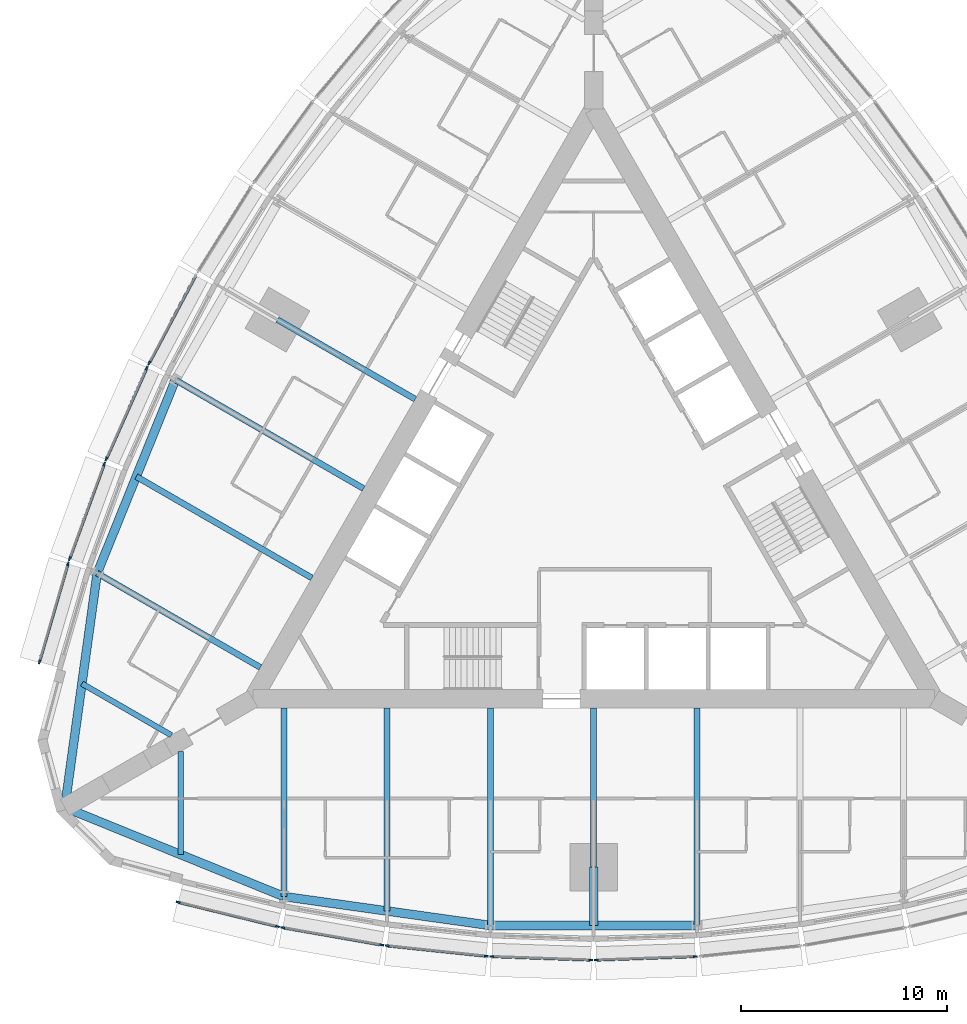
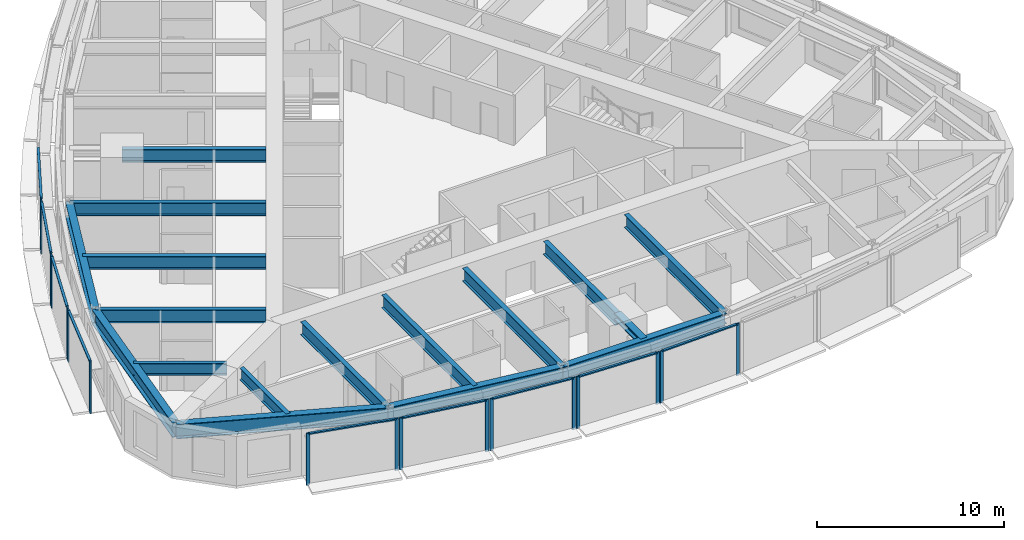
# One storey, part 2 of 14: 26 members, 17 beams, 9 elements without a shape of their own.
"""IFC4 building model written with IfcOpenShell, lengths in metres."""

from ifc_helpers import new_model, si_unit, direction, frame, origin, origin_2d, place, context, subcontext, project, spatial, rectangle, i_section, extrude, material, material_profile, profile_set, type_object, element, aggregate, save


model = new_model("IFC4")

# Units and contexts
model_context = context("Model", 3, precision=1e-05, world=origin(), true_north=direction((0.0, 1.0)))
body_context = subcontext(model_context, "Body", "Model", "MODEL_VIEW")
ifc_project = project(units=[si_unit("LENGTHUNIT", "METRE"), si_unit("AREAUNIT", "SQUARE_METRE"), si_unit("VOLUMEUNIT", "CUBIC_METRE"), si_unit("PLANEANGLEUNIT", "RADIAN"), si_unit("MASSUNIT", "GRAM", prefix="KILO")], contexts=[model_context])

# Site, building, storey
site_placement = place(None, origin())
site = spatial("IfcSite", under=ifc_project, at=site_placement, CompositionType="ELEMENT")
building_placement = place(site_placement, origin())
building = spatial("IfcBuilding", under=site, at=building_placement, Name="Trikona Tower", CompositionType="ELEMENT")
storey_placement = place(building_placement, frame((0.0, 0.0, 148.699951171875)))
storey = spatial("IfcBuildingStorey", under=building, at=storey_placement, Name="L39", CompositionType="ELEMENT", Elevation=148.699951171875)

# Curtain wall, members
ifc_material_1 = material(Name="Aluminium curtain wall system", Category="aluminium")
curtain_wall_type = type_object("IfcCurtainWallType", Name="Curtain wall DS2", PredefinedType="NOTDEFINED", material=ifc_material_1)
curtain_wall_1_placement = place(storey_placement, origin())
curtain_wall_1 = element("IfcCurtainWall", 1, at=curtain_wall_1_placement, inside=storey, type_object=curtain_wall_type, Name="Curtain wall DS2 L39", PredefinedType="NOTDEFINED")
ifc_material_2 = material(Name="Aluminium mullion, pale anodised", Category="aluminium")
ifc_material_profile_1 = material_profile(ifc_material_2, rectangle(XDim=0.080078125, YDim=0.199951171875, at=origin_2d()), Name="MUL-DS2")
ifc_profile_set_1 = profile_set([ifc_material_profile_1], Name="Aluminium mullion, pale anodised")
member_type_1 = type_object("IfcMemberType", Name="Mullion DS2 80x200", PredefinedType="MULLION", material=ifc_profile_set_1)
member_1_placement = place(storey_placement, frame((-20.116943359375, -19.373046875, 0.0), z_axis=(0.0, 0.0, 1.0), x_axis=(0.237970204243, 0.971272455026, 0.0)))
member_1 = element("IfcMember", 2, at=member_1_placement, type_object=member_type_1, Name="CW-DS2 mullion 1", PredefinedType="MULLION", context=body_context, shape_type="SweptSolid", body=[
    extrude(rectangle(XDim=0.080078125, YDim=0.199951171875, at=origin_2d()), origin(), (0.0, 0.0, 1.0), 3.400146484375),
])
member_2_placement = place(storey_placement, frame((-15.311279296875, -20.550537109375, 0.0), z_axis=(0.0, 0.0, 1.0), x_axis=(0.237970204243, 0.971272455026, 0.0)))
member_2 = element("IfcMember", 3, at=member_2_placement, type_object=member_type_1, Name="CW-DS2 mullion 2", PredefinedType="MULLION", context=body_context, shape_type="SweptSolid", body=[
    extrude(rectangle(XDim=0.080078125, YDim=0.199951171875, at=origin_2d()), origin(), (0.0, 0.0, 1.0), 3.400146484375),
])

curtain_wall_2_placement = place(storey_placement, origin())
curtain_wall_2 = element("IfcCurtainWall", 4, at=curtain_wall_2_placement, inside=storey, type_object=curtain_wall_type, Name="Curtain wall DS2 L39", PredefinedType="NOTDEFINED")
member_3_placement = place(storey_placement, frame((-15.056640625, -20.60400390625, 0.0), z_axis=(0.0, 0.0, 1.0), x_axis=(0.17237739505, 0.985030981074, 0.0)))
member_3 = element("IfcMember", 5, at=member_3_placement, type_object=member_type_1, Name="CW-DS2 mullion 1", PredefinedType="MULLION", context=body_context, shape_type="SweptSolid", body=[
    extrude(rectangle(XDim=0.080078125, YDim=0.199951171875, at=origin_2d()), origin(), (0.0, 0.0, 1.0), 3.400146484375),
])
member_4_placement = place(storey_placement, frame((-10.253662109375, -21.444580078125, 0.0), z_axis=(0.0, 0.0, 1.0), x_axis=(0.17237739505, 0.985030981074, 0.0)))
member_4 = element("IfcMember", 6, at=member_4_placement, type_object=member_type_1, Name="CW-DS2 mullion 2", PredefinedType="MULLION", context=body_context, shape_type="SweptSolid", body=[
    extrude(rectangle(XDim=0.080078125, YDim=0.199951171875, at=origin_2d()), origin(), (0.0, 0.0, 1.0), 3.400146484375),
])

curtain_wall_3_placement = place(storey_placement, origin())
curtain_wall_3 = element("IfcCurtainWall", 7, at=curtain_wall_3_placement, inside=storey, type_object=curtain_wall_type, Name="Curtain wall DS2 L39", PredefinedType="NOTDEFINED")
member_5_placement = place(storey_placement, frame((-9.99462890625, -21.480712890625, 0.0), z_axis=(0.0, 0.0, 1.0), x_axis=(0.104433387357, 0.994531883654, 0.0)))
member_5 = element("IfcMember", 8, at=member_5_placement, type_object=member_type_1, Name="CW-DS2 mullion 1", PredefinedType="MULLION", context=body_context, shape_type="SweptSolid", body=[
    extrude(rectangle(XDim=0.080078125, YDim=0.199951171875, at=origin_2d()), origin(), (0.0, 0.0, 1.0), 3.400146484375),
])
member_6_placement = place(storey_placement, frame((-5.193359375, -21.98486328125, 0.0), z_axis=(0.0, 0.0, 1.0), x_axis=(0.104433387357, 0.994531883654, 0.0)))
member_6 = element("IfcMember", 9, at=member_6_placement, type_object=member_type_1, Name="CW-DS2 mullion 2", PredefinedType="MULLION", context=body_context, shape_type="SweptSolid", body=[
    extrude(rectangle(XDim=0.080078125, YDim=0.199951171875, at=origin_2d()), origin(), (0.0, 0.0, 1.0), 3.400146484375),
])

curtain_wall_4_placement = place(storey_placement, origin())
curtain_wall_4 = element("IfcCurtainWall", 10, at=curtain_wall_4_placement, inside=storey, type_object=curtain_wall_type, Name="Curtain wall DS2 L39", PredefinedType="NOTDEFINED")
member_7_placement = place(storey_placement, frame((-4.931640625, -22.003173828125, 0.0), z_axis=(0.0, 0.0, 1.0), x_axis=(0.034998320052, 0.99938737114, 0.0)))
member_7 = element("IfcMember", 11, at=member_7_placement, type_object=member_type_1, Name="CW-DS2 mullion 1", PredefinedType="MULLION", context=body_context, shape_type="SweptSolid", body=[
    extrude(rectangle(XDim=0.080078125, YDim=0.199951171875, at=origin_2d()), origin(), (0.0, 0.0, 1.0), 3.400146484375),
])
member_8_placement = place(storey_placement, frame((-0.13134765625, -22.171142578125, 0.0), z_axis=(0.0, 0.0, 1.0), x_axis=(0.034998320052, 0.99938737114, 0.0)))
member_8 = element("IfcMember", 12, at=member_8_placement, type_object=member_type_1, Name="CW-DS2 mullion 2", PredefinedType="MULLION", context=body_context, shape_type="SweptSolid", body=[
    extrude(rectangle(XDim=0.080078125, YDim=0.199951171875, at=origin_2d()), origin(), (0.0, 0.0, 1.0), 3.400146484375),
])

curtain_wall_5_placement = place(storey_placement, origin())
curtain_wall_5 = element("IfcCurtainWall", 13, at=curtain_wall_5_placement, inside=storey, type_object=curtain_wall_type, Name="Curtain wall DS2 L39", PredefinedType="NOTDEFINED")
member_9_placement = place(storey_placement, frame((0.13134765625, -22.171142578125, 0.0), z_axis=(0.0, 0.0, 1.0), x_axis=(-0.034998320052, 0.99938737114, 0.0)))
member_9 = element("IfcMember", 14, at=member_9_placement, type_object=member_type_1, Name="CW-DS2 mullion 1", PredefinedType="MULLION", context=body_context, shape_type="SweptSolid", body=[
    extrude(rectangle(XDim=0.080078125, YDim=0.199951171875, at=origin_2d()), origin(), (0.0, 0.0, 1.0), 3.400146484375),
])
member_10_placement = place(storey_placement, frame((4.931640625, -22.003173828125, 0.0), z_axis=(0.0, 0.0, 1.0), x_axis=(-0.034998320052, 0.99938737114, 0.0)))
member_10 = element("IfcMember", 15, at=member_10_placement, type_object=member_type_1, Name="CW-DS2 mullion 2", PredefinedType="MULLION", context=body_context, shape_type="SweptSolid", body=[
    extrude(rectangle(XDim=0.080078125, YDim=0.199951171875, at=origin_2d()), origin(), (0.0, 0.0, 1.0), 3.400146484375),
])

# Curtain wall, member
curtain_wall_6_placement = place(storey_placement, origin())
curtain_wall_6 = element("IfcCurtainWall", 16, at=curtain_wall_6_placement, inside=storey, type_object=curtain_wall_type, Name="Curtain wall DS2 L39", PredefinedType="NOTDEFINED")
member_11_placement = place(storey_placement, frame((-21.52099609375, 6.730712890625, 0.0), z_axis=(0.0, 0.0, 1.0), x_axis=(0.882996107343, -0.469380308937, 0.0)))
member_11 = element("IfcMember", 17, at=member_11_placement, type_object=member_type_1, Name="CW-DS2 mullion 2", PredefinedType="MULLION", context=body_context, shape_type="SweptSolid", body=[
    extrude(rectangle(XDim=0.080078125, YDim=0.199951171875, at=origin_2d()), origin(), (0.0, 0.0, 1.0), 3.400146484375),
])

# Curtain wall, members
curtain_wall_7_placement = place(storey_placement, origin())
curtain_wall_7 = element("IfcCurtainWall", 18, at=curtain_wall_7_placement, inside=storey, type_object=curtain_wall_type, Name="Curtain wall DS2 L39", PredefinedType="NOTDEFINED")
member_12_placement = place(storey_placement, frame((-21.63623046875, 6.494873046875, 0.0), z_axis=(0.0, 0.0, 1.0), x_axis=(0.913501208767, -0.406836013132, 0.0)))
member_12 = element("IfcMember", 19, at=member_12_placement, type_object=member_type_1, Name="CW-DS2 mullion 1", PredefinedType="MULLION", context=body_context, shape_type="SweptSolid", body=[
    extrude(rectangle(XDim=0.080078125, YDim=0.199951171875, at=origin_2d()), origin(), (0.0, 0.0, 1.0), 3.400146484375),
])
member_13_placement = place(storey_placement, frame((-23.60009765625, 2.0849609375, 0.0), z_axis=(0.0, 0.0, 1.0), x_axis=(0.913501208767, -0.406836013132, 0.0)))
member_13 = element("IfcMember", 20, at=member_13_placement, type_object=member_type_1, Name="CW-DS2 mullion 2", PredefinedType="MULLION", context=body_context, shape_type="SweptSolid", body=[
    extrude(rectangle(XDim=0.080078125, YDim=0.199951171875, at=origin_2d()), origin(), (0.0, 0.0, 1.0), 3.400146484375),
])

curtain_wall_8_placement = place(storey_placement, origin())
curtain_wall_8 = element("IfcCurtainWall", 21, at=curtain_wall_8_placement, inside=storey, type_object=curtain_wall_type, Name="Curtain wall DS2 L39", PredefinedType="NOTDEFINED")
member_14_placement = place(storey_placement, frame((-23.6982421875, 1.84228515625, 0.0), z_axis=(0.0, 0.0, 1.0), x_axis=(0.939253790978, -0.343223420143, 0.0)))
member_14 = element("IfcMember", 22, at=member_14_placement, type_object=member_type_1, Name="CW-DS2 mullion 1", PredefinedType="MULLION", context=body_context, shape_type="SweptSolid", body=[
    extrude(rectangle(XDim=0.080078125, YDim=0.199951171875, at=origin_2d()), origin(), (0.0, 0.0, 1.0), 3.400146484375),
])
member_15_placement = place(storey_placement, frame((-25.371826171875, -2.737548828125, 0.0), z_axis=(0.0, 0.0, 1.0), x_axis=(0.939253790978, -0.343223420143, 0.0)))
member_15 = element("IfcMember", 23, at=member_15_placement, type_object=member_type_1, Name="CW-DS2 mullion 2", PredefinedType="MULLION", context=body_context, shape_type="SweptSolid", body=[
    extrude(rectangle(XDim=0.080078125, YDim=0.199951171875, at=origin_2d()), origin(), (0.0, 0.0, 1.0), 3.400146484375),
])

curtain_wall_9_placement = place(storey_placement, origin())
curtain_wall_9 = element("IfcCurtainWall", 24, at=curtain_wall_9_placement, inside=storey, type_object=curtain_wall_type, Name="Curtain wall DS2 L39", PredefinedType="NOTDEFINED")
member_16_placement = place(storey_placement, frame((-25.452880859375, -2.984619140625, 0.0), z_axis=(0.0, 0.0, 1.0), x_axis=(0.96013310152, -0.279543247757, 0.0)))
member_16 = element("IfcMember", 25, at=member_16_placement, type_object=member_type_1, Name="CW-DS2 mullion 1", PredefinedType="MULLION", context=body_context, shape_type="SweptSolid", body=[
    extrude(rectangle(XDim=0.080078125, YDim=0.199951171875, at=origin_2d()), origin(), (0.0, 0.0, 1.0), 3.400146484375),
])
member_17_placement = place(storey_placement, frame((-26.836181640625, -7.7353515625, 0.0), z_axis=(0.0, 0.0, 1.0), x_axis=(0.96013310152, -0.279543247757, 0.0)))
member_17 = element("IfcMember", 26, at=member_17_placement, type_object=member_type_1, Name="CW-DS2 mullion 2", PredefinedType="MULLION", context=body_context, shape_type="SweptSolid", body=[
    extrude(rectangle(XDim=0.080078125, YDim=0.199951171875, at=origin_2d()), origin(), (0.0, 0.0, 1.0), 3.400146484375),
])

# Beams
ifc_material_3 = material(Name="Steel ASTM A992 Grade 50", Category="steel")
ifc_material_profile_2 = material_profile(ifc_material_3, i_section(OverallWidth=0.419189453125, OverallDepth=0.45458984375, WebThickness=0.042236328125, FlangeThickness=0.067626953125, at=origin_2d()), Name="W14X370")
ifc_profile_set_2 = profile_set([ifc_material_profile_2], Name="Steel ASTM A992 Grade 50")
beam_type_1 = type_object("IfcBeamType", Name="Steel beam W14x370 (apex bracket)", PredefinedType="BEAM", material=ifc_profile_set_2)
beam_1_placement = place(storey_placement, frame((0.0, -17.680419921875, 3.0078125), z_axis=(0.0, -1.0, 0.0), x_axis=(1.0, 0.0, 0.0)))
element("IfcBeam", 27, at=beam_1_placement, inside=storey, type_object=beam_type_1, Name="Cantilever bracket L40 F1", PredefinedType="BEAM", context=body_context, shape_type="SweptSolid", body=[
    extrude(i_section(OverallWidth=0.419189453125, OverallDepth=0.45458984375, WebThickness=0.042236328125, FlangeThickness=0.067626953125, at=origin_2d()), origin(), (0.0, 0.0, 1.0), 2.81982421875),
])
ifc_material_4 = material(Name="Steel ASTM A992 Grade 50", Category="steel")
ifc_material_profile_3 = material_profile(ifc_material_4, i_section(OverallWidth=0.2666015625, OverallDepth=0.76953125, WebThickness=0.015625, FlangeThickness=0.025390625, at=origin_2d()), Name="W30X132")
ifc_profile_set_3 = profile_set([ifc_material_profile_3], Name="Steel ASTM A992 Grade 50")
beam_type_2 = type_object("IfcBeamType", Name="Steel beam W30x132 (wedge)", PredefinedType="BEAM", material=ifc_profile_set_3)
beam_2_placement = place(storey_placement, frame((-20.0, -12.066650390625, 2.850341796875), z_axis=(0.0, -1.0, 0.0), x_axis=(1.0, 0.0, 0.0)))
element("IfcBeam", 28, at=beam_2_placement, inside=storey, type_object=beam_type_2, Name="Floor beam L40 F1 u-20", PredefinedType="BEAM", context=body_context, shape_type="SweptSolid", body=[
    extrude(i_section(OverallWidth=0.2666015625, OverallDepth=0.76953125, WebThickness=0.015625, FlangeThickness=0.025390625, at=origin_2d()), origin(), (0.0, 0.0, 1.0), 5.00048828125),
])
beam_3_placement = place(storey_placement, frame((-20.449951171875, -11.287109375, 2.850341796875), z_axis=(-0.866038434829, 0.49997742889, 0.0), x_axis=(-0.49997742889, -0.866038434829, 0.0)))
element("IfcBeam", 29, at=beam_3_placement, inside=storey, type_object=beam_type_2, Name="Floor beam L40 F3 u20", PredefinedType="BEAM", context=body_context, shape_type="SweptSolid", body=[
    extrude(i_section(OverallWidth=0.2666015625, OverallDepth=0.76953125, WebThickness=0.015625, FlangeThickness=0.025390625, at=origin_2d()), origin(), (0.0, 0.0, 1.0), 5.000732421875),
])
ifc_material_5 = material(Name="Steel ASTM A992 Grade 50", Category="steel")
ifc_material_profile_4 = material_profile(ifc_material_5, i_section(OverallWidth=0.2919921875, OverallDepth=0.845703125, WebThickness=0.015380859375, FlangeThickness=0.0244140625, at=origin_2d()), Name="W33X141")
ifc_profile_set_4 = profile_set([ifc_material_profile_4], Name="Steel ASTM A992 Grade 50")
beam_type_3 = type_object("IfcBeamType", Name="Steel beam W33x141 (radial typ)", PredefinedType="BEAM", material=ifc_profile_set_4)
beam_4_placement = place(storey_placement, frame((-15.0, -9.976318359375, 2.812255859375), z_axis=(0.0, -1.0, 0.0), x_axis=(1.0, 0.0, 0.0)))
element("IfcBeam", 30, at=beam_4_placement, inside=storey, type_object=beam_type_3, Name="Floor beam L40 F1 u-15", PredefinedType="BEAM", context=body_context, shape_type="SweptSolid", body=[
    extrude(i_section(OverallWidth=0.2919921875, OverallDepth=0.845703125, WebThickness=0.015380859375, FlangeThickness=0.0244140625, at=origin_2d()), origin(), (0.0, 0.0, 1.0), 9.123779296875),
])
beam_5_placement = place(storey_placement, frame((-10.0, -9.976318359375, 2.812255859375), z_axis=(0.0, -1.0, 0.0), x_axis=(1.0, 0.0, 0.0)))
element("IfcBeam", 31, at=beam_5_placement, inside=storey, type_object=beam_type_3, Name="Floor beam L40 F1 u-10", PredefinedType="BEAM", context=body_context, shape_type="SweptSolid", body=[
    extrude(i_section(OverallWidth=0.2919921875, OverallDepth=0.845703125, WebThickness=0.015380859375, FlangeThickness=0.0244140625, at=origin_2d()), origin(), (0.0, 0.0, 1.0), 9.823974609375),
])
beam_6_placement = place(storey_placement, frame((-5.0, -9.976318359375, 2.812255859375), z_axis=(0.0, -1.0, 0.0), x_axis=(1.0, 0.0, 0.0)))
element("IfcBeam", 32, at=beam_6_placement, inside=storey, type_object=beam_type_3, Name="Floor beam L40 F1 u-5", PredefinedType="BEAM", context=body_context, shape_type="SweptSolid", body=[
    extrude(i_section(OverallWidth=0.2919921875, OverallDepth=0.845703125, WebThickness=0.015380859375, FlangeThickness=0.0244140625, at=origin_2d()), origin(), (0.0, 0.0, 1.0), 10.52392578125),
])
beam_7_placement = place(storey_placement, frame((0.0, -9.976318359375, 2.812255859375), z_axis=(0.0, -1.0, 0.0), x_axis=(1.0, 0.0, 0.0)))
element("IfcBeam", 33, at=beam_7_placement, inside=storey, type_object=beam_type_3, Name="Floor beam L40 F1 u0", PredefinedType="BEAM", context=body_context, shape_type="SweptSolid", body=[
    extrude(i_section(OverallWidth=0.2919921875, OverallDepth=0.845703125, WebThickness=0.015380859375, FlangeThickness=0.0244140625, at=origin_2d()), origin(), (0.0, 0.0, 1.0), 7.7041015625),
])
beam_8_placement = place(storey_placement, frame((5.0, -9.976318359375, 2.812255859375), z_axis=(0.0, -1.0, 0.0), x_axis=(1.0, 0.0, 0.0)))
element("IfcBeam", 34, at=beam_8_placement, inside=storey, type_object=beam_type_3, Name="Floor beam L40 F1 u5", PredefinedType="BEAM", context=body_context, shape_type="SweptSolid", body=[
    extrude(i_section(OverallWidth=0.2919921875, OverallDepth=0.845703125, WebThickness=0.015380859375, FlangeThickness=0.0244140625, at=origin_2d()), origin(), (0.0, 0.0, 1.0), 10.52392578125),
])
beam_9_placement = place(storey_placement, frame((-8.6396484375, 4.988037109375, 2.812255859375), z_axis=(-0.866017246294, 0.500014128921, 0.0), x_axis=(-0.500014128921, -0.866017246294, 0.0)))
element("IfcBeam", 35, at=beam_9_placement, inside=storey, type_object=beam_type_3, Name="Floor beam L40 F3 u0", PredefinedType="BEAM", context=body_context, shape_type="SweptSolid", body=[
    extrude(i_section(OverallWidth=0.2919921875, OverallDepth=0.845703125, WebThickness=0.015380859375, FlangeThickness=0.0244140625, at=origin_2d()), origin(), (0.0, 0.0, 1.0), 7.704345703125),
])
beam_10_placement = place(storey_placement, frame((-11.1396484375, 0.657958984375, 2.812255859375), z_axis=(-0.866026035623, 0.499998905622, 0.0), x_axis=(-0.499998905622, -0.866026035623, 0.0)))
element("IfcBeam", 36, at=beam_10_placement, inside=storey, type_object=beam_type_3, Name="Floor beam L40 F3 u5", PredefinedType="BEAM", context=body_context, shape_type="SweptSolid", body=[
    extrude(i_section(OverallWidth=0.2919921875, OverallDepth=0.845703125, WebThickness=0.015380859375, FlangeThickness=0.0244140625, at=origin_2d()), origin(), (0.0, 0.0, 1.0), 10.52392578125),
])
beam_11_placement = place(storey_placement, frame((-13.6396484375, -3.672119140625, 2.812255859375), z_axis=(-0.866020046725, 0.500009278584, 0.0), x_axis=(-0.500009278584, -0.866020046725, 0.0)))
element("IfcBeam", 37, at=beam_11_placement, inside=storey, type_object=beam_type_3, Name="Floor beam L40 F3 u10", PredefinedType="BEAM", context=body_context, shape_type="SweptSolid", body=[
    extrude(i_section(OverallWidth=0.2919921875, OverallDepth=0.845703125, WebThickness=0.015380859375, FlangeThickness=0.0244140625, at=origin_2d()), origin(), (0.0, 0.0, 1.0), 9.823974609375),
])
beam_12_placement = place(storey_placement, frame((-16.1396484375, -8.002197265625, 2.812255859375), z_axis=(-0.866024725532, 0.500001174766, 0.0), x_axis=(-0.500001174766, -0.866024725532, 0.0)))
element("IfcBeam", 38, at=beam_12_placement, inside=storey, type_object=beam_type_3, Name="Floor beam L40 F3 u15", PredefinedType="BEAM", context=body_context, shape_type="SweptSolid", body=[
    extrude(i_section(OverallWidth=0.2919921875, OverallDepth=0.845703125, WebThickness=0.015380859375, FlangeThickness=0.0244140625, at=origin_2d()), origin(), (0.0, 0.0, 1.0), 9.1240234375),
])
ifc_material_6 = material(Name="Steel ASTM A992 Grade 50", Category="steel")
ifc_material_profile_5 = material_profile(ifc_material_6, i_section(OverallWidth=0.424072265625, OverallDepth=0.947509765625, WebThickness=0.02392578125, FlangeThickness=0.042724609375, at=origin_2d()), Name="W36X302")
ifc_profile_set_5 = profile_set([ifc_material_profile_5], Name="Steel ASTM A992 Grade 50")
beam_type_4 = type_object("IfcBeamType", Name="Steel beam W36x302 (spandrel)", PredefinedType="SPANDREL", material=ifc_profile_set_5)
beam_13_placement = place(storey_placement, frame((-25.6103515625, -14.7861328125, 2.76123046875), z_axis=(0.926359695662, -0.376640032728, 0.0), x_axis=(0.376640032728, 0.926359695662, 0.0)))
element("IfcBeam", 39, at=beam_13_placement, inside=storey, type_object=beam_type_4, Name="Spandrel beam L40 F1-1", PredefinedType="SPANDREL", context=body_context, shape_type="SweptSolid", body=[
    extrude(i_section(OverallWidth=0.424072265625, OverallDepth=0.947509765625, WebThickness=0.02392578125, FlangeThickness=0.042724609375, at=origin_2d()), origin(), (0.0, 0.0, 1.0), 11.453857421875),
])
beam_14_placement = place(storey_placement, frame((-15.0, -19.10009765625, 2.76123046875), z_axis=(0.990339754644, -0.13866207258, 0.0), x_axis=(0.13866207258, 0.990339754644, 0.0)))
element("IfcBeam", 40, at=beam_14_placement, inside=storey, type_object=beam_type_4, Name="Spandrel beam L40 F1-2", PredefinedType="SPANDREL", context=body_context, shape_type="SweptSolid", body=[
    extrude(i_section(OverallWidth=0.424072265625, OverallDepth=0.947509765625, WebThickness=0.02392578125, FlangeThickness=0.042724609375, at=origin_2d()), origin(), (0.0, 0.0, 1.0), 10.09765625),
])
beam_15_placement = place(storey_placement, frame((-5.0, -20.500244140625, 2.76123046875), z_axis=(1.0, 0.0, 0.0), x_axis=(0.0, 1.0, 0.0)))
element("IfcBeam", 41, at=beam_15_placement, inside=storey, type_object=beam_type_4, Name="Spandrel beam L40 F1-3", PredefinedType="SPANDREL", context=body_context, shape_type="SweptSolid", body=[
    extrude(i_section(OverallWidth=0.424072265625, OverallDepth=0.947509765625, WebThickness=0.02392578125, FlangeThickness=0.042724609375, at=origin_2d()), origin(), (0.0, 0.0, 1.0), 10.0),
])
beam_16_placement = place(storey_placement, frame((-20.253662109375, 5.919921875, 2.76123046875), z_axis=(-0.375106193787, -0.926981846307, 0.0), x_axis=(0.926981846307, -0.375106193787, 0.0)))
element("IfcBeam", 42, at=beam_16_placement, inside=storey, type_object=beam_type_4, Name="Spandrel beam L40 F3-4", PredefinedType="SPANDREL", context=body_context, shape_type="SweptSolid", body=[
    extrude(i_section(OverallWidth=0.424072265625, OverallDepth=0.947509765625, WebThickness=0.02392578125, FlangeThickness=0.042724609375, at=origin_2d()), origin(), (0.0, 0.0, 1.0), 10.097412109375),
])
beam_17_placement = place(storey_placement, frame((-24.041259765625, -3.440185546875, 2.76123046875), z_axis=(-0.136991535842, -0.990572218017, 0.0), x_axis=(0.990572218017, -0.136991535842, 0.0)))
element("IfcBeam", 43, at=beam_17_placement, inside=storey, type_object=beam_type_4, Name="Spandrel beam L40 F3-5", PredefinedType="SPANDREL", context=body_context, shape_type="SweptSolid", body=[
    extrude(i_section(OverallWidth=0.424072265625, OverallDepth=0.947509765625, WebThickness=0.02392578125, FlangeThickness=0.042724609375, at=origin_2d()), origin(), (0.0, 0.0, 1.0), 11.453857421875),
])

# Member
ifc_material_7 = material(Name="Aluminium transom, pale anodised", Category="aluminium")
ifc_material_profile_6 = material_profile(ifc_material_7, rectangle(XDim=0.139892578125, YDim=0.080078125, at=origin_2d()), Name="TRN-DS2")
ifc_profile_set_6 = profile_set([ifc_material_profile_6], Name="Aluminium transom, pale anodised")
member_type_2 = type_object("IfcMemberType", Name="Transom DS2 80x140", PredefinedType="USERDEFINED", material=ifc_profile_set_6)
member_18_placement = place(storey_placement, frame((-20.078125, -19.382568359375, 3.360107421875), z_axis=(0.971270583303, -0.237977843528, 0.0), x_axis=(0.237977843528, 0.971270583303, 0.0)))
member_18 = element("IfcMember", 44, at=member_18_placement, type_object=member_type_2, Name="CW-DS2 transom 1.1", ObjectType="TRANSOM", PredefinedType="USERDEFINED", context=body_context, shape_type="SweptSolid", body=[
    extrude(rectangle(XDim=0.139892578125, YDim=0.080078125, at=origin_2d()), origin(), (0.0, 0.0, 1.0), 4.867919921875),
])

aggregate(curtain_wall_1, [member_1, member_2, member_18])

member_19_placement = place(storey_placement, frame((-15.01708984375, -20.61083984375, 3.360107421875), z_axis=(0.98503262804, -0.172367983387, 0.0), x_axis=(0.172367983387, 0.98503262804, 0.0)))
member_19 = element("IfcMember", 45, at=member_19_placement, type_object=member_type_2, Name="CW-DS2 transom 1.1", ObjectType="TRANSOM", PredefinedType="USERDEFINED", context=body_context, shape_type="SweptSolid", body=[
    extrude(rectangle(XDim=0.139892578125, YDim=0.080078125, at=origin_2d()), origin(), (0.0, 0.0, 1.0), 4.7958984375),
])

aggregate(curtain_wall_2, [member_3, member_4, member_19])

member_20_placement = place(storey_placement, frame((-9.954833984375, -21.48486328125, 3.360107421875), z_axis=(0.99453106441, -0.104441188822, 0.0), x_axis=(0.104441188822, 0.99453106441, 0.0)))
member_20 = element("IfcMember", 46, at=member_20_placement, type_object=member_type_2, Name="CW-DS2 transom 1.1", ObjectType="TRANSOM", PredefinedType="USERDEFINED", context=body_context, shape_type="SweptSolid", body=[
    extrude(rectangle(XDim=0.139892578125, YDim=0.080078125, at=origin_2d()), origin(), (0.0, 0.0, 1.0), 4.74755859375),
])

aggregate(curtain_wall_3, [member_5, member_6, member_20])

member_21_placement = place(storey_placement, frame((-4.8916015625, -22.00439453125, 3.360107421875), z_axis=(0.999385692759, -0.035046213908, 0.0), x_axis=(0.035046213908, 0.999385692759, 0.0)))
member_21 = element("IfcMember", 47, at=member_21_placement, type_object=member_type_2, Name="CW-DS2 transom 1.1", ObjectType="TRANSOM", PredefinedType="USERDEFINED", context=body_context, shape_type="SweptSolid", body=[
    extrude(rectangle(XDim=0.139892578125, YDim=0.080078125, at=origin_2d()), origin(), (0.0, 0.0, 1.0), 4.72314453125),
])

aggregate(curtain_wall_4, [member_7, member_8, member_21])

member_22_placement = place(storey_placement, frame((0.17138671875, -22.169921875, 3.360107421875), z_axis=(0.999385692759, 0.035046213908, 0.0), x_axis=(-0.035046213908, 0.999385692759, 0.0)))
member_22 = element("IfcMember", 48, at=member_22_placement, type_object=member_type_2, Name="CW-DS2 transom 1.1", ObjectType="TRANSOM", PredefinedType="USERDEFINED", context=body_context, shape_type="SweptSolid", body=[
    extrude(rectangle(XDim=0.139892578125, YDim=0.080078125, at=origin_2d()), origin(), (0.0, 0.0, 1.0), 4.72314453125),
])

aggregate(curtain_wall_5, [member_9, member_10, member_22])

member_23_placement = place(storey_placement, frame((-19.285400390625, 10.9365234375, 3.360107421875), z_axis=(-0.469364343408, -0.883004594063, 0.0), x_axis=(0.883004594063, -0.469364343408, 0.0)))
member_23 = element("IfcMember", 49, at=member_23_placement, type_object=member_type_2, Name="CW-DS2 transom 1.1", ObjectType="TRANSOM", PredefinedType="USERDEFINED", context=body_context, shape_type="SweptSolid", body=[
    extrude(rectangle(XDim=0.139892578125, YDim=0.080078125, at=origin_2d()), origin(), (0.0, 0.0, 1.0), 4.722900390625),
])

aggregate(curtain_wall_6, [member_11, member_23])

member_24_placement = place(storey_placement, frame((-21.65234375, 6.458251953125, 3.360107421875), z_axis=(-0.406839769607, -0.913499535778, 0.0), x_axis=(0.913499535778, -0.406839769607, 0.0)))
member_24 = element("IfcMember", 50, at=member_24_placement, type_object=member_type_2, Name="CW-DS2 transom 1.1", ObjectType="TRANSOM", PredefinedType="USERDEFINED", context=body_context, shape_type="SweptSolid", body=[
    extrude(rectangle(XDim=0.139892578125, YDim=0.080078125, at=origin_2d()), origin(), (0.0, 0.0, 1.0), 4.747314453125),
])

aggregate(curtain_wall_7, [member_12, member_13, member_24])

member_25_placement = place(storey_placement, frame((-23.712158203125, 1.8046875, 3.360107421875), z_axis=(-0.343205907674, -0.939260190223, 0.0), x_axis=(0.939260190223, -0.343205907674, 0.0)))
member_25 = element("IfcMember", 51, at=member_25_placement, type_object=member_type_2, Name="CW-DS2 transom 1.1", ObjectType="TRANSOM", PredefinedType="USERDEFINED", context=body_context, shape_type="SweptSolid", body=[
    extrude(rectangle(XDim=0.139892578125, YDim=0.080078125, at=origin_2d()), origin(), (0.0, 0.0, 1.0), 4.7958984375),
])

aggregate(curtain_wall_8, [member_14, member_15, member_25])

member_26_placement = place(storey_placement, frame((-25.464111328125, -3.023193359375, 3.360107421875), z_axis=(-0.279566628153, -0.960126293996, 0.0), x_axis=(0.960126293996, -0.279566628153, 0.0)))
member_26 = element("IfcMember", 52, at=member_26_placement, type_object=member_type_2, Name="CW-DS2 transom 1.1", ObjectType="TRANSOM", PredefinedType="USERDEFINED", context=body_context, shape_type="SweptSolid", body=[
    extrude(rectangle(XDim=0.139892578125, YDim=0.080078125, at=origin_2d()), origin(), (0.0, 0.0, 1.0), 4.86767578125),
])

aggregate(curtain_wall_9, [member_16, member_17, member_26])

save(model, "model.ifc")
